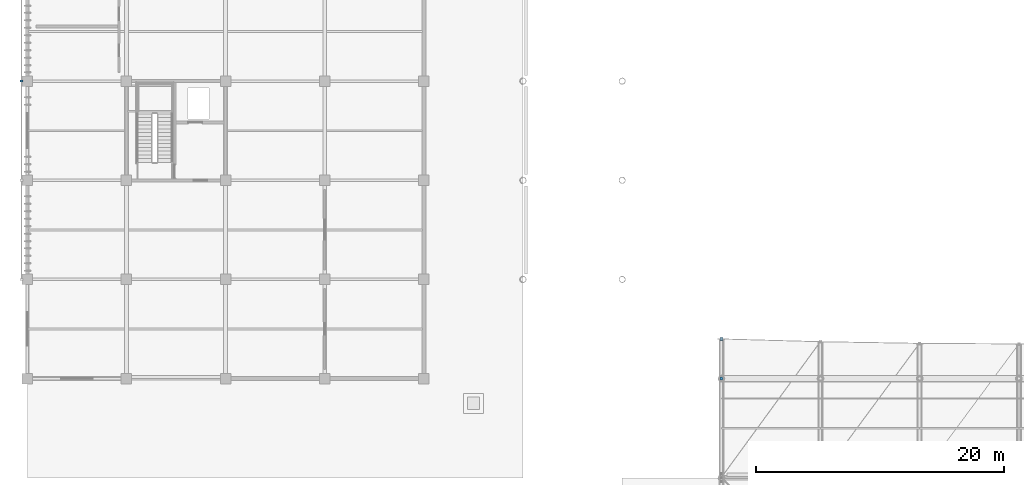
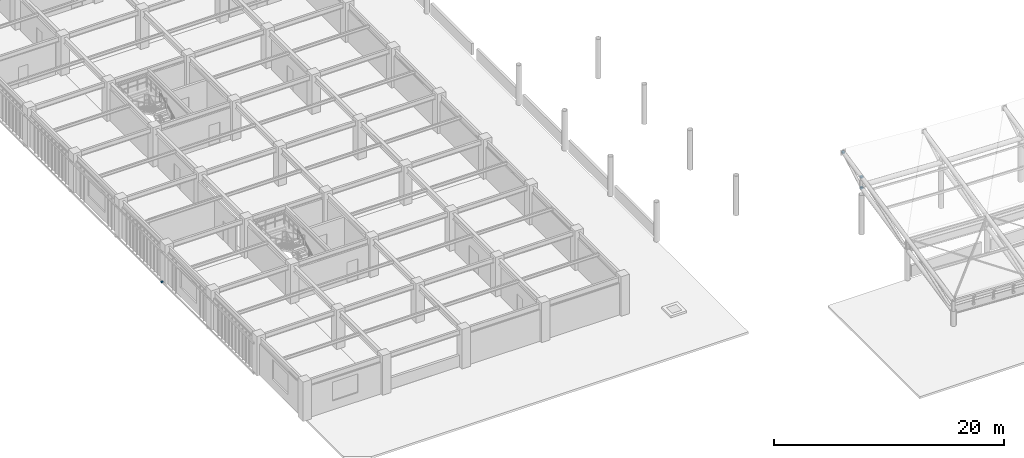
# One storey, part 65 of 78: 4 discrete accessories.
"""IFC4 building model written with IfcOpenShell, lengths in metres."""

from ifc_helpers import new_model, si_unit, direction, frame, origin, origin_2d, place, context, subcontext, project, spatial, rectangle, extrude, material, layer, layer_set, type_object, element, save


model = new_model("IFC4")

# Units and contexts
model_context = context("Model", 3, precision=1e-05, world=origin(), true_north=direction((0.0, 1.0)))
body_context = subcontext(model_context, "Body", "Model", "MODEL_VIEW")
ifc_project = project(units=[si_unit("LENGTHUNIT", "METRE"), si_unit("AREAUNIT", "SQUARE_METRE"), si_unit("VOLUMEUNIT", "CUBIC_METRE"), si_unit("PLANEANGLEUNIT", "RADIAN"), si_unit("MASSUNIT", "GRAM", prefix="KILO")], contexts=[model_context])

# Site, building, storey
site_placement = place(None, origin())
site = spatial("IfcSite", under=ifc_project, at=site_placement, CompositionType="ELEMENT")
building_placement = place(site_placement, origin())
building = spatial("IfcBuilding", under=site, at=building_placement, Name="Haebicheon Civic Stadium", CompositionType="ELEMENT")
storey_placement = place(building_placement, frame((0.0, 0.0, 18.60009765625)))
storey = spatial("IfcBuildingStorey", under=building, at=storey_placement, Name="L05", CompositionType="ELEMENT", Elevation=18.60009765625)

# Discrete accessories
ifc_material_1 = material(Name="White painted steel SM490", Category="steel")
ifc_layer_1 = layer(ifc_material_1, 0.179931640625, Name="White painted steel SM490")
ifc_layer_set_1 = layer_set([ifc_layer_1], Name="White painted steel SM490")
discrete_accessory_type_1 = type_object("IfcDiscreteAccessoryType", Name="BRK-END-PLT", PredefinedType="BRACKET", material=ifc_layer_set_1)
for number, where, z_axis, x_axis, name in (
    (1, (80.0, 40.0, 4.787109375), (0.0, 0.0, 1.0), (1.0, 0.0, 0.0), "CAN-SOUTH truss 1 node bolted end connection plate"),
    (2, (80.0, 40.0, 5.93701171875), (0.0, 0.0, 1.0), (1.0, 0.0, 0.0), "CAN-SOUTH truss 1 node bolted end connection plate"),
    (3, (80.0, 43.199951171875, 6.625), (0.0, 0.0, 1.0), (1.0, 0.0, 0.0), "CAN-SOUTH truss 1 node bolted end connection plate"),
):
    element("IfcDiscreteAccessory", number, at=place(storey_placement, frame(where, z_axis=z_axis, x_axis=x_axis)), inside=storey, type_object=discrete_accessory_type_1, material=ifc_layer_set_1, Name=name, PredefinedType="BRACKET", context=body_context, shape_type="SweptSolid", body=[
        extrude(rectangle(XDim=0.239990234375, YDim=0.239990234375, at=origin_2d()), origin(), (0.0, 0.0, 1.0), 0.179931640625),
    ])
ifc_material_2 = material(Name="Stainless steel 316", Category="steel")
ifc_layer_2 = layer(ifc_material_2, 0.139892578125, Name="Stainless steel 316")
ifc_layer_set_2 = layer_set([ifc_layer_2], Name="Stainless steel 316")
discrete_accessory_type_2 = type_object("IfcDiscreteAccessoryType", Name="BRK-LVR-CLEAT", PredefinedType="BRACKET", material=ifc_layer_set_2)
discrete_accessory_placement = place(storey_placement, frame((23.534912109375, 64.0, 0.009765625), z_axis=(0.0, 0.0, 1.0), x_axis=(1.0, 0.0, 0.0)))
element("IfcDiscreteAccessory", 4, at=discrete_accessory_placement, inside=storey, type_object=discrete_accessory_type_2, material=ifc_layer_set_2, Name="SCR-WEST L05 stainless bracket cleat 2B", PredefinedType="BRACKET", context=body_context, shape_type="SweptSolid", body=[
    extrude(rectangle(XDim=0.239990234375, YDim=0.179931640625, at=origin_2d()), origin(), (0.0, 0.0, 1.0), 0.139892578125),
])

save(model, "model.ifc")
